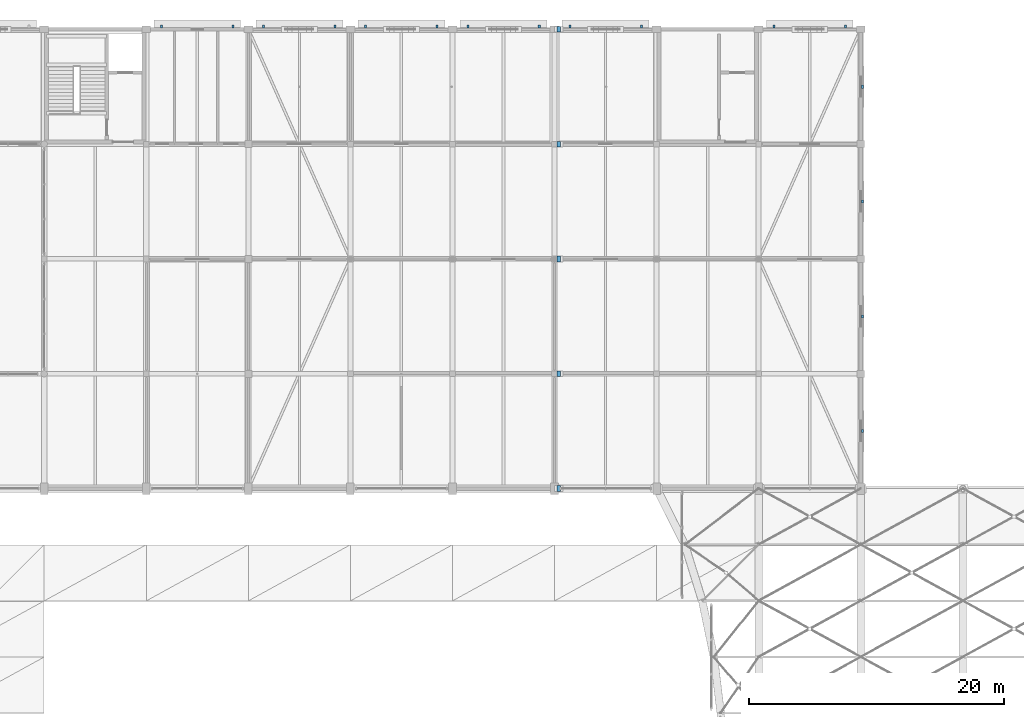
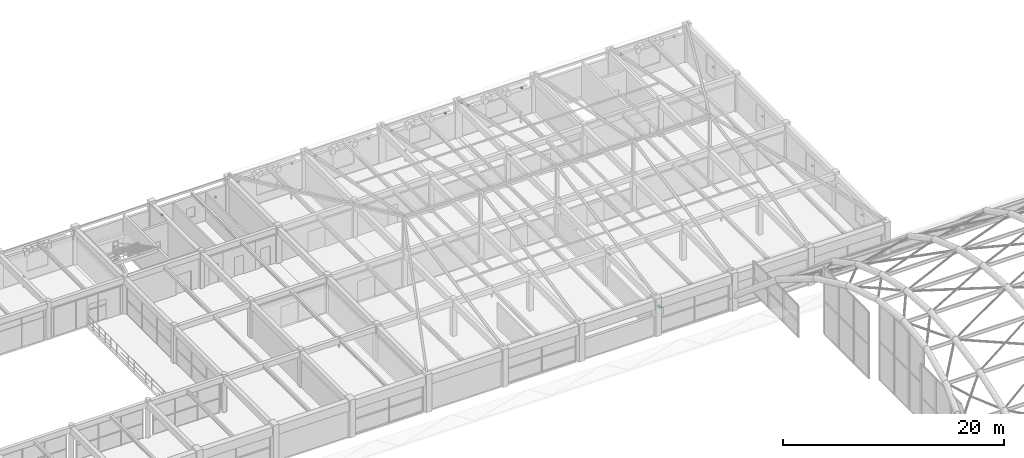
# One storey, part 121 of 126: 21 discrete accessories.
"""IFC4 building model written with IfcOpenShell, lengths in metres."""

from ifc_helpers import new_model, si_unit, direction, frame, origin, origin_2d, place, context, subcontext, project, spatial, rectangle, extrude, material, layer, layer_set, type_object, element, save


model = new_model("IFC4")

# Units and contexts
model_context = context("Model", 3, precision=1e-05, world=origin(), true_north=direction((0.0, 1.0)))
body_context = subcontext(model_context, "Body", "Model", "MODEL_VIEW")
ifc_project = project(units=[si_unit("LENGTHUNIT", "METRE"), si_unit("AREAUNIT", "SQUARE_METRE"), si_unit("VOLUMEUNIT", "CUBIC_METRE"), si_unit("PLANEANGLEUNIT", "RADIAN"), si_unit("MASSUNIT", "GRAM", prefix="KILO")], contexts=[model_context])

# Site, building, storey
site_placement = place(None, origin())
site = spatial("IfcSite", under=ifc_project, at=site_placement, CompositionType="ELEMENT")
building_placement = place(site_placement, origin())
building = spatial("IfcBuilding", under=site, at=building_placement, Name="Varnabhumi Central Station", CompositionType="ELEMENT")
storey_placement = place(building_placement, frame((0.0, 0.0, 16.199951171875)))
storey = spatial("IfcBuildingStorey", under=building, at=storey_placement, Name="L03", CompositionType="ELEMENT", Elevation=16.199951171875)

# Discrete accessories
ifc_material = material(Name="Structural steel E350", Category="steel")
ifc_layer_1 = layer(ifc_material, 0.080078125, Name="Structural steel E350", Category="steel")
ifc_layer_set_1 = layer_set([ifc_layer_1], Name="Structural steel E350")
discrete_accessory_type_1 = type_object("IfcDiscreteAccessoryType", Name="ACC-BEARING-SHOE", PredefinedType="SHOE", material=ifc_layer_set_1)
for number, where, z_axis, x_axis, name in (
    (1, (120.324951171875, 80.0, 2.8701171875), (0.0, 0.0, 1.0), (1.0, 0.0, 0.0), "Movement Joint Bearing L03-K-16"),
    (2, (120.324951171875, 89.0, 3.27001953125), (0.0, 0.0, 1.0), (1.0, 0.0, 0.0), "Movement Joint Bearing L03-L-16"),
    (3, (120.324951171875, 98.0, 3.27001953125), (0.0, 0.0, 1.0), (1.0, 0.0, 0.0), "Movement Joint Bearing L03-M-16"),
    (4, (120.324951171875, 107.0, 3.27001953125), (0.0, 0.0, 1.0), (1.0, 0.0, 0.0), "Movement Joint Bearing L03-N-16"),
    (5, (120.324951171875, 116.0, 3.6201171875), (0.0, 0.0, 1.0), (1.0, 0.0, 0.0), "Movement Joint Bearing L03-P-16"),
):
    element("IfcDiscreteAccessory", number, at=place(storey_placement, frame(where, z_axis=z_axis, x_axis=x_axis)), inside=storey, type_object=discrete_accessory_type_1, Name=name, PredefinedType="SHOE", context=body_context, shape_type="SweptSolid", body=[
        extrude(rectangle(XDim=0.300048828125, YDim=0.449951171875, at=origin_2d()), origin(), (0.0, 0.0, 1.0), 0.080078125),
    ])
ifc_layer_2 = layer(ifc_material, 0.159912109375, Name="Structural steel E350", Category="steel")
ifc_layer_set_2 = layer_set([ifc_layer_2], Name="Structural steel E350")
discrete_accessory_type_2 = type_object("IfcDiscreteAccessoryType", Name="ACC-SHADE-BRKT", PredefinedType="BRACKET", material=ifc_layer_set_2)
for number, where, z_axis, x_axis, name in (
    (6, (89.199951171875, 116.2099609375, 1.919921875), (0.0, 0.0, 1.0), (1.0, 0.0, 0.0), "Chajja Bracket N-L03-9L"),
    (7, (94.800048828125, 116.2099609375, 1.919921875), (0.0, 0.0, 1.0), (1.0, 0.0, 0.0), "Chajja Bracket N-L03-9R"),
    (8, (97.199951171875, 116.2099609375, 2.81005859375), (0.0, 0.0, 1.0), (1.0, 0.0, 0.0), "Chajja Bracket N-L03-10L"),
    (9, (102.800048828125, 116.2099609375, 2.81005859375), (0.0, 0.0, 1.0), (1.0, 0.0, 0.0), "Chajja Bracket N-L03-10R"),
    (10, (105.199951171875, 116.2099609375, 2.81005859375), (0.0, 0.0, 1.0), (1.0, 0.0, 0.0), "Chajja Bracket N-L03-11L"),
    (11, (110.800048828125, 116.2099609375, 2.81005859375), (0.0, 0.0, 1.0), (1.0, 0.0, 0.0), "Chajja Bracket N-L03-11R"),
    (12, (113.199951171875, 116.2099609375, 2.81005859375), (0.0, 0.0, 1.0), (1.0, 0.0, 0.0), "Chajja Bracket N-L03-12L"),
    (13, (118.800048828125, 116.2099609375, 2.81005859375), (0.0, 0.0, 1.0), (1.0, 0.0, 0.0), "Chajja Bracket N-L03-12R"),
    (14, (121.199951171875, 116.2099609375, 2.81005859375), (0.0, 0.0, 1.0), (1.0, 0.0, 0.0), "Chajja Bracket N-L03-13L"),
    (15, (126.800048828125, 116.2099609375, 2.81005859375), (0.0, 0.0, 1.0), (1.0, 0.0, 0.0), "Chajja Bracket N-L03-13R"),
    (16, (137.199951171875, 116.2099609375, 2.81005859375), (0.0, 0.0, 1.0), (1.0, 0.0, 0.0), "Chajja Bracket N-L03-15L"),
    (17, (142.800048828125, 116.2099609375, 2.81005859375), (0.0, 0.0, 1.0), (1.0, 0.0, 0.0), "Chajja Bracket N-L03-15R"),
    (18, (144.1298828125, 84.5, 1.8701171875), (0.0, 0.0, 1.0), (1.0, 0.0, 0.0), "Celosia Bracket N-L03-W1"),
    (19, (144.1298828125, 93.5, 1.8701171875), (0.0, 0.0, 1.0), (1.0, 0.0, 0.0), "Celosia Bracket N-L03-W2"),
    (20, (144.1298828125, 102.5, 1.8701171875), (0.0, 0.0, 1.0), (1.0, 0.0, 0.0), "Celosia Bracket N-L03-W3"),
    (21, (144.1298828125, 111.5, 1.8701171875), (0.0, 0.0, 1.0), (1.0, 0.0, 0.0), "Celosia Bracket N-L03-W4"),
):
    element("IfcDiscreteAccessory", number, at=place(storey_placement, frame(where, z_axis=z_axis, x_axis=x_axis)), inside=storey, type_object=discrete_accessory_type_2, Name=name, PredefinedType="BRACKET", context=body_context, shape_type="SweptSolid", body=[
        extrude(rectangle(XDim=0.159912109375, YDim=0.239990234375, at=origin_2d()), origin(), (0.0, 0.0, 1.0), 0.159912109375),
    ])

save(model, "model.ifc")
